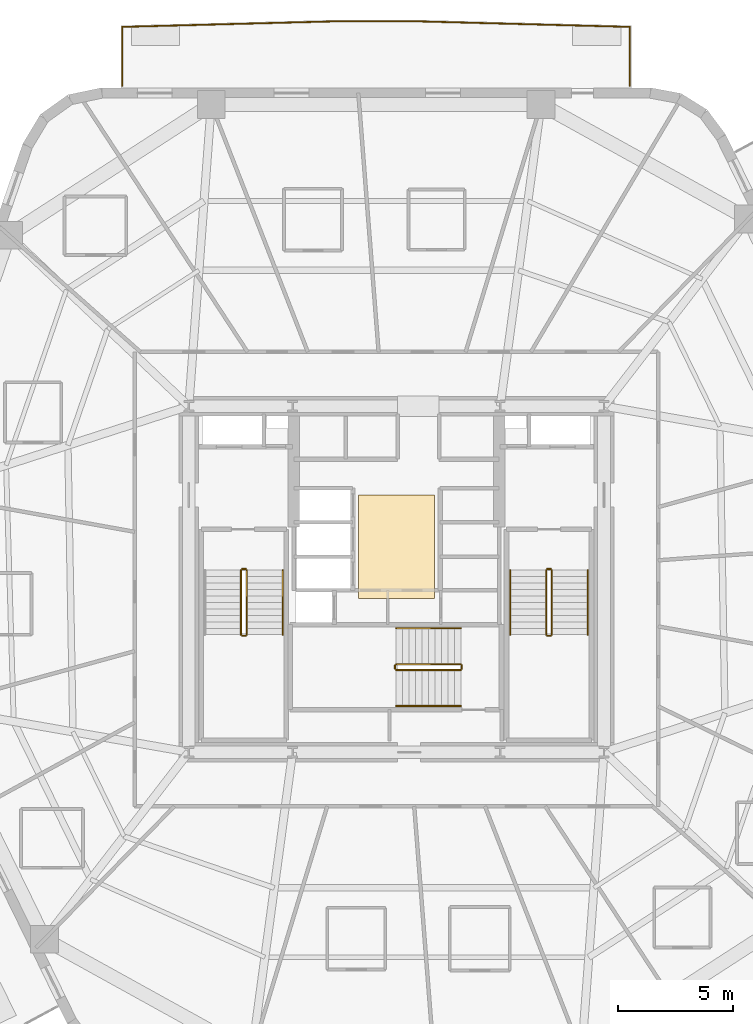
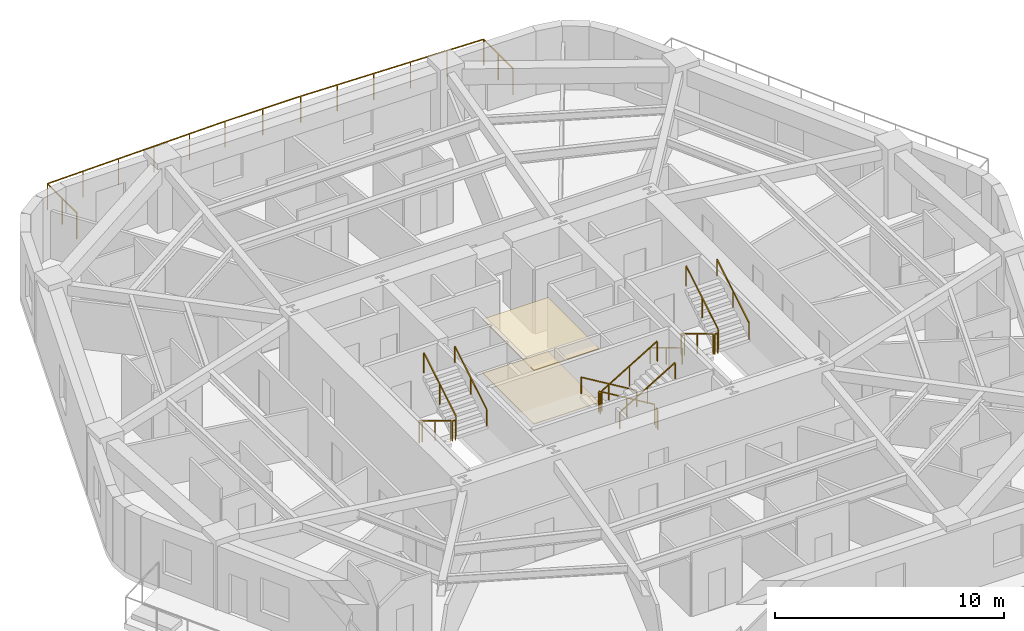
# One storey, part 9 of 10: 18 railings, 2 coverings.
"""IFC4 building model written with IfcOpenShell, lengths in metres."""

from ifc_helpers import new_model, si_unit, direction, frame, origin, origin_2d, place, context, subcontext, project, spatial, polyline, rectangle, outline, extrude, material, layer, layer_set, type_object, element, save


model = new_model("IFC4")

# Units and contexts
model_context = context("Model", 3, precision=1e-05, world=origin(), true_north=direction((0.0, 1.0)))
body_context = subcontext(model_context, "Body", "Model", "MODEL_VIEW")
ifc_project = project(units=[si_unit("LENGTHUNIT", "METRE"), si_unit("AREAUNIT", "SQUARE_METRE"), si_unit("VOLUMEUNIT", "CUBIC_METRE"), si_unit("PLANEANGLEUNIT", "RADIAN"), si_unit("MASSUNIT", "GRAM", prefix="KILO")], contexts=[model_context])

# Site, building, storey
site_placement = place(None, origin())
site = spatial("IfcSite", under=ifc_project, at=site_placement, CompositionType="ELEMENT")
building_placement = place(site_placement, origin())
building = spatial("IfcBuilding", under=site, at=building_placement, Name="Kilnhurst Terrace Hotel", CompositionType="ELEMENT")
storey_placement = place(building_placement, frame((0.0, 0.0, 91.39990234375)))
storey = spatial("IfcBuildingStorey", under=building, at=storey_placement, Name="L21", CompositionType="ELEMENT", Elevation=91.39990234375)

# Coverings
ifc_material_1 = material(Name="Perforated Micro-Acoustic Gypsum and Mineral Wool Ceiling")
ifc_layer_1 = layer(ifc_material_1, 0.050048828125, Name="Perforated Micro-Acoustic Gypsum and Mineral Wool Ceiling")
ifc_layer_set_1 = layer_set([ifc_layer_1], Name="Perforated Micro-Acoustic Gypsum and Mineral Wool Ceiling")
covering_type_1 = type_object("IfcCoveringType", Name="COV-CLG-AC60", PredefinedType="CEILING", material=ifc_layer_set_1)
covering_1_placement = place(storey_placement, frame((0.0, 0.0, 2.85009765625)))
element("IfcCovering", 1, at=covering_1_placement, inside=storey, type_object=covering_type_1, Name="L21 Lift Lobby Suspended Acoustic Ceiling", PredefinedType="CEILING", context=body_context, shape_type="SweptSolid", body=[
    extrude(outline(polyline([(-1.64990234375, -0.85009765625), (1.64990234375, -0.85009765625), (1.64990234375, 3.64990234375), (-1.64990234375, 3.64990234375), (-1.64990234375, -0.85009765625)])), origin(), (0.0, 0.0, 1.0), 0.050048828125),
])
ifc_material_2 = material(Name="Honed Texas Cream Limestone Tile Flooring", Category="masonry")
ifc_layer_2 = layer(ifc_material_2, 0.030029296875, Name="Honed Texas Cream Limestone Tile Flooring")
ifc_layer_set_2 = layer_set([ifc_layer_2], Name="Honed Texas Cream Limestone Tile Flooring")
covering_type_2 = type_object("IfcCoveringType", Name="COV-FLR-STN30", PredefinedType="FLOORING", material=ifc_layer_set_2)
covering_2_placement = place(storey_placement, origin())
element("IfcCovering", 2, at=covering_2_placement, inside=storey, type_object=covering_type_2, Name="L21 Lift Lobby Honed Limestone Flooring", PredefinedType="FLOORING", context=body_context, shape_type="SweptSolid", body=[
    extrude(outline(polyline([(-1.64990234375, -0.85009765625), (1.64990234375, -0.85009765625), (1.64990234375, 3.64990234375), (-1.64990234375, 3.64990234375), (-1.64990234375, -0.85009765625)])), origin(), (0.0, 0.0, 1.0), 0.030029296875),
])

# Railings
ifc_material_3 = material(Name="Laminated SentryGlas and Stainless Steel AISI 316L Balustrade", Category="steel")
ifc_layer_3 = layer(ifc_material_3, 0.070068359375, Name="Laminated SentryGlas and Stainless Steel AISI 316L Balustrade")
ifc_layer_set_3 = layer_set([ifc_layer_3], Name="Laminated SentryGlas and Stainless Steel AISI 316L Balustrade")
railing_type_1 = type_object("IfcRailingType", Name="RLG-BAL-1420", PredefinedType="BALUSTRADE", material=ifc_layer_set_3)
railing_1_placement = place(storey_placement, frame((-11.8837890625, 21.3798828125, 0.0)))
element("IfcRailing", 3, at=railing_1_placement, inside=storey, type_object=railing_type_1, Name="L21 Exterior Terrace Guardrail BAL-L1B.1", PredefinedType="BALUSTRADE", context=body_context, shape_type="SweptSolid", body=[
    extrude(rectangle(XDim=0.048095703125, YDim=0.048095703125, at=origin_2d()), frame((0.0, 0.0, 1.39599609375), z_axis=(0.0, 1.0, 0.0), x_axis=(-1.0, 0.0, 0.0)), (0.0, 0.0, 1.0), 2.561767578125),
    extrude(rectangle(XDim=0.048095703125, YDim=0.048095703125, at=origin_2d()), frame((0.0, 2.561767578125, 1.39599609375), z_axis=(0.999657105501, 0.026185328367, 0.0), x_axis=(-0.026185328367, 0.999657105501, 0.0)), (0.0, 0.0, 1.0), 9.099853515625),
    extrude(rectangle(XDim=0.048095703125, YDim=0.048095703125, at=origin_2d()), frame((9.0966796875, 2.800048828125, 1.39599609375), z_axis=(1.0, 0.0, 0.0), x_axis=(0.0, 1.0, 0.0)), (0.0, 0.0, 1.0), 3.8134765625),
    extrude(rectangle(XDim=0.048095703125, YDim=0.048095703125, at=origin_2d()), frame((12.91015625, 2.800048828125, 1.39599609375), z_axis=(0.999657105501, -0.026185328367, 0.0), x_axis=(0.026185328367, 0.999657105501, 0.0)), (0.0, 0.0, 1.0), 9.099853515625),
    extrude(rectangle(XDim=0.048095703125, YDim=0.048095703125, at=origin_2d()), frame((22.0068359375, 2.561767578125, 1.39599609375), z_axis=(0.0, -1.0, 0.0), x_axis=(1.0, 0.0, 0.0)), (0.0, 0.0, 1.0), 2.561767578125),
    extrude(rectangle(XDim=0.0419921875, YDim=0.0419921875, at=origin_2d()), origin(), (0.0, 0.0, 1.0), 1.371826171875),
    extrude(rectangle(XDim=0.0419921875, YDim=0.0419921875, at=origin_2d()), frame((0.0, 1.28076171875, 0.0)), (0.0, 0.0, 1.0), 1.371826171875),
    extrude(rectangle(XDim=0.0419921875, YDim=0.0419921875, at=origin_2d()), frame((0.0, 2.561767578125, 0.0)), (0.0, 0.0, 1.0), 1.371826171875),
    extrude(rectangle(XDim=0.0419921875, YDim=0.0419921875, at=origin_2d()), frame((1.8193359375, 2.609375, 0.0)), (0.0, 0.0, 1.0), 1.371826171875),
    extrude(rectangle(XDim=0.0419921875, YDim=0.0419921875, at=origin_2d()), frame((3.638671875, 2.656982421875, 0.0)), (0.0, 0.0, 1.0), 1.371826171875),
    extrude(rectangle(XDim=0.0419921875, YDim=0.0419921875, at=origin_2d()), frame((5.4580078125, 2.704833984375, 0.0)), (0.0, 0.0, 1.0), 1.371826171875),
    extrude(rectangle(XDim=0.0419921875, YDim=0.0419921875, at=origin_2d()), frame((7.27734375, 2.75244140625, 0.0)), (0.0, 0.0, 1.0), 1.371826171875),
    extrude(rectangle(XDim=0.0419921875, YDim=0.0419921875, at=origin_2d()), frame((9.0966796875, 2.800048828125, 0.0)), (0.0, 0.0, 1.0), 1.371826171875),
    extrude(rectangle(XDim=0.0419921875, YDim=0.0419921875, at=origin_2d()), frame((11.00341796875, 2.800048828125, 0.0)), (0.0, 0.0, 1.0), 1.371826171875),
    extrude(rectangle(XDim=0.0419921875, YDim=0.0419921875, at=origin_2d()), frame((12.91015625, 2.800048828125, 0.0)), (0.0, 0.0, 1.0), 1.371826171875),
    extrude(rectangle(XDim=0.0419921875, YDim=0.0419921875, at=origin_2d()), frame((14.7294921875, 2.75244140625, 0.0)), (0.0, 0.0, 1.0), 1.371826171875),
    extrude(rectangle(XDim=0.0419921875, YDim=0.0419921875, at=origin_2d()), frame((16.548828125, 2.704833984375, 0.0)), (0.0, 0.0, 1.0), 1.371826171875),
    extrude(rectangle(XDim=0.0419921875, YDim=0.0419921875, at=origin_2d()), frame((18.3681640625, 2.656982421875, 0.0)), (0.0, 0.0, 1.0), 1.371826171875),
    extrude(rectangle(XDim=0.0419921875, YDim=0.0419921875, at=origin_2d()), frame((20.1875, 2.609375, 0.0)), (0.0, 0.0, 1.0), 1.371826171875),
    extrude(rectangle(XDim=0.0419921875, YDim=0.0419921875, at=origin_2d()), frame((22.0068359375, 2.561767578125, 0.0)), (0.0, 0.0, 1.0), 1.371826171875),
    extrude(rectangle(XDim=0.0419921875, YDim=0.0419921875, at=origin_2d()), frame((22.0068359375, 1.28076171875, 0.0)), (0.0, 0.0, 1.0), 1.371826171875),
    extrude(rectangle(XDim=0.0419921875, YDim=0.0419921875, at=origin_2d()), frame((22.0068359375, 0.0, 0.0)), (0.0, 0.0, 1.0), 1.371826171875),
])
ifc_material_4 = material(Name="Powder-Coated Steel ASTM A500 Grade B", Category="steel")
ifc_layer_4 = layer(ifc_material_4, 0.050048828125, Name="Powder-Coated Steel ASTM A500 Grade B")
ifc_layer_set_4 = layer_set([ifc_layer_4], Name="Powder-Coated Steel ASTM A500 Grade B")
railing_type_2 = type_object("IfcRailingType", Name="RLG-ST-GRD-1100", PredefinedType="GUARDRAIL", material=ifc_layer_set_4)
railing_2_placement = place(storey_placement, frame((-6.739990234375, 0.389892578125, 0.168212890625)))
element("IfcRailing", 4, at=railing_2_placement, inside=storey, type_object=railing_type_2, Name="L21 ST-1 stair guard 1", PredefinedType="GUARDRAIL", context=body_context, shape_type="SweptSolid", body=[
    extrude(rectangle(XDim=0.048095703125, YDim=0.048095703125, at=origin_2d()), frame((0.0, 0.0, 1.076171875), z_axis=(0.0, -0.857222391501, 0.514946377315), x_axis=(1.0, 0.0, 0.0)), (0.0, 0.0, 1.0), 3.26611328125),
    extrude(rectangle(XDim=0.0419921875, YDim=0.0419921875, at=origin_2d()), origin(), (0.0, 0.0, 1.0), 1.052001953125),
    extrude(rectangle(XDim=0.0419921875, YDim=0.0419921875, at=origin_2d()), frame((0.0, -1.39990234375, 0.8408203125)), (0.0, 0.0, 1.0), 1.052001953125),
    extrude(rectangle(XDim=0.0419921875, YDim=0.0419921875, at=origin_2d()), frame((0.0, -2.7998046875, 1.681884765625)), (0.0, 0.0, 1.0), 1.052001953125),
])
railing_3_placement = place(storey_placement, frame((-6.68994140625, -2.4599609375, 1.85009765625)))
element("IfcRailing", 5, at=railing_3_placement, inside=storey, type_object=railing_type_2, Name="L21 ST-1 stair guard 2", PredefinedType="GUARDRAIL", context=body_context, shape_type="SweptSolid", body=[
    extrude(rectangle(XDim=0.048095703125, YDim=0.048095703125, at=origin_2d()), frame((0.0, 0.0, 1.076171875), z_axis=(1.0, 0.0, 0.0), x_axis=(0.0, 1.0, 0.0)), (0.0, 0.0, 1.0), 0.14990234375),
    extrude(rectangle(XDim=0.0419921875, YDim=0.0419921875, at=origin_2d()), origin(), (0.0, 0.0, 1.0), 1.052001953125),
    extrude(rectangle(XDim=0.0419921875, YDim=0.0419921875, at=origin_2d()), frame((0.14990234375, 0.0, 0.0)), (0.0, 0.0, 1.0), 1.052001953125),
])
railing_4_placement = place(storey_placement, frame((-6.489990234375, -2.409912109375, 2.018310546875)))
element("IfcRailing", 6, at=railing_4_placement, inside=storey, type_object=railing_type_2, Name="L21 ST-1 stair guard 3", PredefinedType="GUARDRAIL", context=body_context, shape_type="SweptSolid", body=[
    extrude(rectangle(XDim=0.048095703125, YDim=0.048095703125, at=origin_2d()), frame((0.0, 0.0, 1.076171875), z_axis=(0.0, 0.857222391501, 0.514946377315), x_axis=(-1.0, 0.0, 0.0)), (0.0, 0.0, 1.0), 3.26611328125),
    extrude(rectangle(XDim=0.0419921875, YDim=0.0419921875, at=origin_2d()), origin(), (0.0, 0.0, 1.0), 1.052001953125),
    extrude(rectangle(XDim=0.0419921875, YDim=0.0419921875, at=origin_2d()), frame((0.0, 1.39990234375, 0.8408203125)), (0.0, 0.0, 1.0), 1.052001953125),
    extrude(rectangle(XDim=0.0419921875, YDim=0.0419921875, at=origin_2d()), frame((0.0, 2.7998046875, 1.681884765625)), (0.0, 0.0, 1.0), 1.052001953125),
])
railing_5_placement = place(storey_placement, frame((-6.68994140625, 0.43994140625, 0.0)))
element("IfcRailing", 7, at=railing_5_placement, inside=storey, type_object=railing_type_2, Name="L21 ST-1 stair guard 4", PredefinedType="GUARDRAIL", context=body_context, shape_type="SweptSolid", body=[
    extrude(rectangle(XDim=0.048095703125, YDim=0.048095703125, at=origin_2d()), frame((0.0, 0.0, 1.076171875), z_axis=(1.0, 0.0, 0.0), x_axis=(0.0, 1.0, 0.0)), (0.0, 0.0, 1.0), 0.14990234375),
    extrude(rectangle(XDim=0.0419921875, YDim=0.0419921875, at=origin_2d()), origin(), (0.0, 0.0, 1.0), 1.052001953125),
    extrude(rectangle(XDim=0.0419921875, YDim=0.0419921875, at=origin_2d()), frame((0.14990234375, 0.0, 0.0)), (0.0, 0.0, 1.0), 1.052001953125),
])
railing_6_placement = place(storey_placement, frame((6.489990234375, 0.389892578125, 0.168212890625)))
element("IfcRailing", 8, at=railing_6_placement, inside=storey, type_object=railing_type_2, Name="L21 ST-2 stair guard 1", PredefinedType="GUARDRAIL", context=body_context, shape_type="SweptSolid", body=[
    extrude(rectangle(XDim=0.048095703125, YDim=0.048095703125, at=origin_2d()), frame((0.0, 0.0, 1.076171875), z_axis=(0.0, -0.857222391501, 0.514946377315), x_axis=(1.0, 0.0, 0.0)), (0.0, 0.0, 1.0), 3.26611328125),
    extrude(rectangle(XDim=0.0419921875, YDim=0.0419921875, at=origin_2d()), origin(), (0.0, 0.0, 1.0), 1.052001953125),
    extrude(rectangle(XDim=0.0419921875, YDim=0.0419921875, at=origin_2d()), frame((0.0, -1.39990234375, 0.8408203125)), (0.0, 0.0, 1.0), 1.052001953125),
    extrude(rectangle(XDim=0.0419921875, YDim=0.0419921875, at=origin_2d()), frame((0.0, -2.7998046875, 1.681884765625)), (0.0, 0.0, 1.0), 1.052001953125),
])
railing_7_placement = place(storey_placement, frame((6.5400390625, -2.4599609375, 1.85009765625)))
element("IfcRailing", 9, at=railing_7_placement, inside=storey, type_object=railing_type_2, Name="L21 ST-2 stair guard 2", PredefinedType="GUARDRAIL", context=body_context, shape_type="SweptSolid", body=[
    extrude(rectangle(XDim=0.048095703125, YDim=0.048095703125, at=origin_2d()), frame((0.0, 0.0, 1.076171875), z_axis=(1.0, 0.0, 0.0), x_axis=(0.0, 1.0, 0.0)), (0.0, 0.0, 1.0), 0.14990234375),
    extrude(rectangle(XDim=0.0419921875, YDim=0.0419921875, at=origin_2d()), origin(), (0.0, 0.0, 1.0), 1.052001953125),
    extrude(rectangle(XDim=0.0419921875, YDim=0.0419921875, at=origin_2d()), frame((0.14990234375, 0.0, 0.0)), (0.0, 0.0, 1.0), 1.052001953125),
])
railing_8_placement = place(storey_placement, frame((6.739990234375, -2.409912109375, 2.018310546875)))
element("IfcRailing", 10, at=railing_8_placement, inside=storey, type_object=railing_type_2, Name="L21 ST-2 stair guard 3", PredefinedType="GUARDRAIL", context=body_context, shape_type="SweptSolid", body=[
    extrude(rectangle(XDim=0.048095703125, YDim=0.048095703125, at=origin_2d()), frame((0.0, 0.0, 1.076171875), z_axis=(0.0, 0.857222391501, 0.514946377315), x_axis=(-1.0, 0.0, 0.0)), (0.0, 0.0, 1.0), 3.26611328125),
    extrude(rectangle(XDim=0.0419921875, YDim=0.0419921875, at=origin_2d()), origin(), (0.0, 0.0, 1.0), 1.052001953125),
    extrude(rectangle(XDim=0.0419921875, YDim=0.0419921875, at=origin_2d()), frame((0.0, 1.39990234375, 0.8408203125)), (0.0, 0.0, 1.0), 1.052001953125),
    extrude(rectangle(XDim=0.0419921875, YDim=0.0419921875, at=origin_2d()), frame((0.0, 2.7998046875, 1.681884765625)), (0.0, 0.0, 1.0), 1.052001953125),
])
railing_9_placement = place(storey_placement, frame((6.5400390625, 0.43994140625, 0.0)))
element("IfcRailing", 11, at=railing_9_placement, inside=storey, type_object=railing_type_2, Name="L21 ST-2 stair guard 4", PredefinedType="GUARDRAIL", context=body_context, shape_type="SweptSolid", body=[
    extrude(rectangle(XDim=0.048095703125, YDim=0.048095703125, at=origin_2d()), frame((0.0, 0.0, 1.076171875), z_axis=(1.0, 0.0, 0.0), x_axis=(0.0, 1.0, 0.0)), (0.0, 0.0, 1.0), 0.14990234375),
    extrude(rectangle(XDim=0.0419921875, YDim=0.0419921875, at=origin_2d()), origin(), (0.0, 0.0, 1.0), 1.052001953125),
    extrude(rectangle(XDim=0.0419921875, YDim=0.0419921875, at=origin_2d()), frame((0.14990234375, 0.0, 0.0)), (0.0, 0.0, 1.0), 1.052001953125),
])
railing_10_placement = place(storey_placement, frame((2.7900390625, -3.68994140625, 0.168212890625)))
element("IfcRailing", 12, at=railing_10_placement, inside=storey, type_object=railing_type_2, Name="L21 ST-3 stair guard 1", PredefinedType="GUARDRAIL", context=body_context, shape_type="SweptSolid", body=[
    extrude(rectangle(XDim=0.048095703125, YDim=0.048095703125, at=origin_2d()), frame((0.0, 0.0, 1.076171875), z_axis=(-0.857242210791, 0.0, 0.514913383045), x_axis=(0.0, -1.0, 0.0)), (0.0, 0.0, 1.0), 3.266357421875),
    extrude(rectangle(XDim=0.0419921875, YDim=0.0419921875, at=origin_2d()), origin(), (0.0, 0.0, 1.0), 1.052001953125),
    extrude(rectangle(XDim=0.0419921875, YDim=0.0419921875, at=origin_2d()), frame((-1.39990234375, 0.0, 0.8408203125)), (0.0, 0.0, 1.0), 1.052001953125),
    extrude(rectangle(XDim=0.0419921875, YDim=0.0419921875, at=origin_2d()), frame((-2.800048828125, 0.0, 1.681884765625)), (0.0, 0.0, 1.0), 1.052001953125),
])
railing_11_placement = place(storey_placement, frame((-0.06005859375, -3.739990234375, 1.85009765625)))
element("IfcRailing", 13, at=railing_11_placement, inside=storey, type_object=railing_type_2, Name="L21 ST-3 stair guard 2", PredefinedType="GUARDRAIL", context=body_context, shape_type="SweptSolid", body=[
    extrude(rectangle(XDim=0.048095703125, YDim=0.048095703125, at=origin_2d()), frame((0.0, 0.0, 1.076171875), z_axis=(0.0, -1.0, 0.0), x_axis=(1.0, 0.0, 0.0)), (0.0, 0.0, 1.0), 0.14990234375),
    extrude(rectangle(XDim=0.0419921875, YDim=0.0419921875, at=origin_2d()), origin(), (0.0, 0.0, 1.0), 1.052001953125),
    extrude(rectangle(XDim=0.0419921875, YDim=0.0419921875, at=origin_2d()), frame((0.0, -0.14990234375, 0.0)), (0.0, 0.0, 1.0), 1.052001953125),
])
railing_12_placement = place(storey_placement, frame((-0.010009765625, -3.93994140625, 2.018310546875)))
element("IfcRailing", 14, at=railing_12_placement, inside=storey, type_object=railing_type_2, Name="L21 ST-3 stair guard 3", PredefinedType="GUARDRAIL", context=body_context, shape_type="SweptSolid", body=[
    extrude(rectangle(XDim=0.048095703125, YDim=0.048095703125, at=origin_2d()), frame((0.0, 0.0, 1.076171875), z_axis=(0.857242210791, 0.0, 0.514913383045), x_axis=(0.0, 1.0, 0.0)), (0.0, 0.0, 1.0), 3.266357421875),
    extrude(rectangle(XDim=0.0419921875, YDim=0.0419921875, at=origin_2d()), origin(), (0.0, 0.0, 1.0), 1.052001953125),
    extrude(rectangle(XDim=0.0419921875, YDim=0.0419921875, at=origin_2d()), frame((1.39990234375, 0.0, 0.8408203125)), (0.0, 0.0, 1.0), 1.052001953125),
    extrude(rectangle(XDim=0.0419921875, YDim=0.0419921875, at=origin_2d()), frame((2.800048828125, 0.0, 1.681884765625)), (0.0, 0.0, 1.0), 1.052001953125),
])
railing_13_placement = place(storey_placement, frame((2.840087890625, -3.739990234375, 0.0)))
element("IfcRailing", 15, at=railing_13_placement, inside=storey, type_object=railing_type_2, Name="L21 ST-3 stair guard 4", PredefinedType="GUARDRAIL", context=body_context, shape_type="SweptSolid", body=[
    extrude(rectangle(XDim=0.048095703125, YDim=0.048095703125, at=origin_2d()), frame((0.0, 0.0, 1.076171875), z_axis=(0.0, -1.0, 0.0), x_axis=(1.0, 0.0, 0.0)), (0.0, 0.0, 1.0), 0.14990234375),
    extrude(rectangle(XDim=0.0419921875, YDim=0.0419921875, at=origin_2d()), origin(), (0.0, 0.0, 1.0), 1.052001953125),
    extrude(rectangle(XDim=0.0419921875, YDim=0.0419921875, at=origin_2d()), frame((0.0, -0.14990234375, 0.0)), (0.0, 0.0, 1.0), 1.052001953125),
])
ifc_material_5 = material(Name="Brushed Stainless Steel AISI 304", Category="steel")
ifc_layer_5 = layer(ifc_material_5, 0.048095703125, Name="Brushed Stainless Steel AISI 304")
ifc_layer_set_5 = layer_set([ifc_layer_5], Name="Brushed Stainless Steel AISI 304")
railing_type_3 = type_object("IfcRailingType", Name="RLG-ST-HRL-900", PredefinedType="HANDRAIL", material=ifc_layer_set_5)
railing_14_placement = place(storey_placement, frame((-4.929931640625, -2.409912109375, 2.018310546875)))
element("IfcRailing", 16, at=railing_14_placement, inside=storey, type_object=railing_type_3, Name="L21 ST-1 stair handrail 2", PredefinedType="HANDRAIL", context=body_context, shape_type="SweptSolid", body=[
    extrude(rectangle(XDim=0.048095703125, YDim=0.048095703125, at=origin_2d()), frame((0.0, 0.0, 0.8759765625), z_axis=(0.0, 0.857222391501, 0.514946377315), x_axis=(-1.0, 0.0, 0.0)), (0.0, 0.0, 1.0), 3.26611328125),
    extrude(rectangle(XDim=0.0419921875, YDim=0.0419921875, at=origin_2d()), origin(), (0.0, 0.0, 1.0), 0.851806640625),
    extrude(rectangle(XDim=0.0419921875, YDim=0.0419921875, at=origin_2d()), frame((0.0, 1.39990234375, 0.8408203125)), (0.0, 0.0, 1.0), 0.851806640625),
    extrude(rectangle(XDim=0.0419921875, YDim=0.0419921875, at=origin_2d()), frame((0.0, 2.7998046875, 1.681884765625)), (0.0, 0.0, 1.0), 0.851806640625),
])
railing_15_placement = place(storey_placement, frame((4.929931640625, 0.389892578125, 0.168212890625)))
element("IfcRailing", 17, at=railing_15_placement, inside=storey, type_object=railing_type_3, Name="L21 ST-2 stair handrail 1", PredefinedType="HANDRAIL", context=body_context, shape_type="SweptSolid", body=[
    extrude(rectangle(XDim=0.048095703125, YDim=0.048095703125, at=origin_2d()), frame((0.0, 0.0, 0.8759765625), z_axis=(0.0, -0.857222391501, 0.514946377315), x_axis=(1.0, 0.0, 0.0)), (0.0, 0.0, 1.0), 3.26611328125),
    extrude(rectangle(XDim=0.0419921875, YDim=0.0419921875, at=origin_2d()), origin(), (0.0, 0.0, 1.0), 0.851806640625),
    extrude(rectangle(XDim=0.0419921875, YDim=0.0419921875, at=origin_2d()), frame((0.0, -1.39990234375, 0.8408203125)), (0.0, 0.0, 1.0), 0.851806640625),
    extrude(rectangle(XDim=0.0419921875, YDim=0.0419921875, at=origin_2d()), frame((0.0, -2.7998046875, 1.681884765625)), (0.0, 0.0, 1.0), 0.851806640625),
])
railing_16_placement = place(storey_placement, frame((8.300048828125, -2.409912109375, 2.018310546875)))
element("IfcRailing", 18, at=railing_16_placement, inside=storey, type_object=railing_type_3, Name="L21 ST-2 stair handrail 2", PredefinedType="HANDRAIL", context=body_context, shape_type="SweptSolid", body=[
    extrude(rectangle(XDim=0.048095703125, YDim=0.048095703125, at=origin_2d()), frame((0.0, 0.0, 0.8759765625), z_axis=(0.0, 0.857222391501, 0.514946377315), x_axis=(-1.0, 0.0, 0.0)), (0.0, 0.0, 1.0), 3.26611328125),
    extrude(rectangle(XDim=0.0419921875, YDim=0.0419921875, at=origin_2d()), origin(), (0.0, 0.0, 1.0), 0.851806640625),
    extrude(rectangle(XDim=0.0419921875, YDim=0.0419921875, at=origin_2d()), frame((0.0, 1.39990234375, 0.8408203125)), (0.0, 0.0, 1.0), 0.851806640625),
    extrude(rectangle(XDim=0.0419921875, YDim=0.0419921875, at=origin_2d()), frame((0.0, 2.7998046875, 1.681884765625)), (0.0, 0.0, 1.0), 0.851806640625),
])
railing_17_placement = place(storey_placement, frame((2.7900390625, -2.1298828125, 0.168212890625)))
element("IfcRailing", 19, at=railing_17_placement, inside=storey, type_object=railing_type_3, Name="L21 ST-3 stair handrail 1", PredefinedType="HANDRAIL", context=body_context, shape_type="SweptSolid", body=[
    extrude(rectangle(XDim=0.048095703125, YDim=0.048095703125, at=origin_2d()), frame((0.0, 0.0, 0.8759765625), z_axis=(-0.857242210791, 0.0, 0.514913383045), x_axis=(0.0, -1.0, 0.0)), (0.0, 0.0, 1.0), 3.266357421875),
    extrude(rectangle(XDim=0.0419921875, YDim=0.0419921875, at=origin_2d()), origin(), (0.0, 0.0, 1.0), 0.851806640625),
    extrude(rectangle(XDim=0.0419921875, YDim=0.0419921875, at=origin_2d()), frame((-1.39990234375, 0.0, 0.8408203125)), (0.0, 0.0, 1.0), 0.851806640625),
    extrude(rectangle(XDim=0.0419921875, YDim=0.0419921875, at=origin_2d()), frame((-2.800048828125, 0.0, 1.681884765625)), (0.0, 0.0, 1.0), 0.851806640625),
])
railing_18_placement = place(storey_placement, frame((-0.010009765625, -5.5, 2.018310546875)))
element("IfcRailing", 20, at=railing_18_placement, inside=storey, type_object=railing_type_3, Name="L21 ST-3 stair handrail 2", PredefinedType="HANDRAIL", context=body_context, shape_type="SweptSolid", body=[
    extrude(rectangle(XDim=0.048095703125, YDim=0.048095703125, at=origin_2d()), frame((0.0, 0.0, 0.8759765625), z_axis=(0.857242210791, 0.0, 0.514913383045), x_axis=(0.0, 1.0, 0.0)), (0.0, 0.0, 1.0), 3.266357421875),
    extrude(rectangle(XDim=0.0419921875, YDim=0.0419921875, at=origin_2d()), origin(), (0.0, 0.0, 1.0), 0.851806640625),
    extrude(rectangle(XDim=0.0419921875, YDim=0.0419921875, at=origin_2d()), frame((1.39990234375, 0.0, 0.8408203125)), (0.0, 0.0, 1.0), 0.851806640625),
    extrude(rectangle(XDim=0.0419921875, YDim=0.0419921875, at=origin_2d()), frame((2.800048828125, 0.0, 1.681884765625)), (0.0, 0.0, 1.0), 0.851806640625),
])

save(model, "model.ifc")
